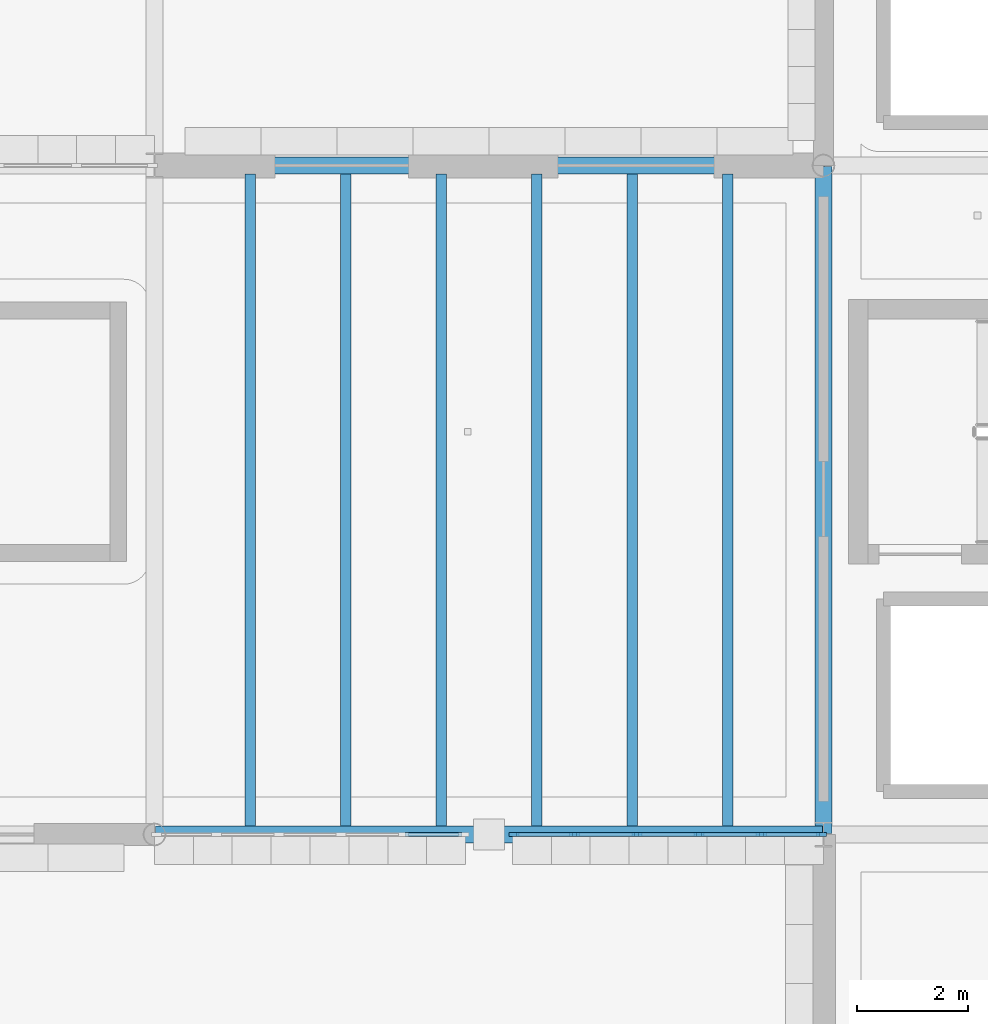
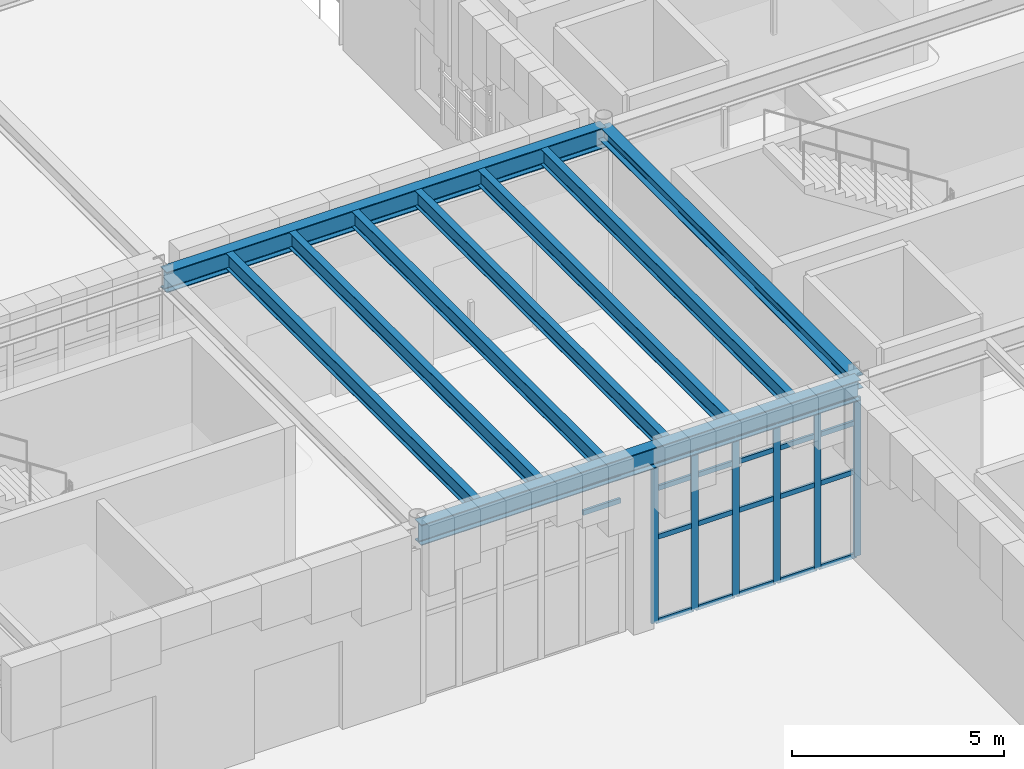
# One storey, part 30 of 103: 28 members, 9 beams, 2 elements without a shape of their own.
"""IFC4 building model written with IfcOpenShell, lengths in metres."""

from ifc_helpers import new_model, si_unit, direction, frame, origin, origin_2d, place, context, subcontext, project, spatial, rectangle, i_section, extrude, material, layer, layer_set, material_profile, profile_set, type_object, element, aggregate, save


model = new_model("IFC4")

# Units and contexts
model_context = context("Model", 3, precision=1e-05, world=origin(), true_north=direction((0.0, 1.0)))
body_context = subcontext(model_context, "Body", "Model", "MODEL_VIEW")
ifc_project = project(units=[si_unit("LENGTHUNIT", "METRE"), si_unit("AREAUNIT", "SQUARE_METRE"), si_unit("VOLUMEUNIT", "CUBIC_METRE"), si_unit("PLANEANGLEUNIT", "RADIAN"), si_unit("MASSUNIT", "GRAM", prefix="KILO")], contexts=[model_context])

# Site, building, storey
site_placement = place(None, origin())
site = spatial("IfcSite", under=ifc_project, at=site_placement, CompositionType="ELEMENT")
building_placement = place(site_placement, origin())
building = spatial("IfcBuilding", under=site, at=building_placement, Name="Zlatogorsky Bluff Art Gallery", CompositionType="ELEMENT")
storey_placement = place(building_placement, origin())
storey = spatial("IfcBuildingStorey", under=building, at=storey_placement, Name="L00", CompositionType="ELEMENT", Elevation=0.0)

# Beams
ifc_material_1 = material(Name="Steel S355", Category="steel")
ifc_material_profile_1 = material_profile(ifc_material_1, i_section(OverallWidth=0.300048828125, OverallDepth=0.590087890625, WebThickness=0.012939453125, FlangeThickness=0.02490234375, FilletRadius=0.027099609375, at=origin_2d()), Name="HEA 600")
ifc_profile_set_1 = profile_set([ifc_material_profile_1], Name="Steel S355")
beam_type_1 = type_object("IfcBeamType", Name="Beam BM-05 HEA 600", PredefinedType="BEAM", material=ifc_profile_set_1)
for number, where, z_axis, x_axis, name in (
    (1, (108.014892578125, 84.0, 4.844970703125), (1.0, 0.0, 0.0), (0.0, 1.0, 0.0), "Primary girder BM-05 L00 K-L/9"),
    (2, (108.014892578125, 96.0, 4.844970703125), (1.0, 0.0, 0.0), (0.0, 1.0, 0.0), "Primary girder BM-05 L00 K-L/10"),
):
    element("IfcBeam", number, at=place(storey_placement, frame(where, z_axis=z_axis, x_axis=x_axis)), inside=storey, type_object=beam_type_1, Name=name, PredefinedType="BEAM", context=body_context, shape_type="SweptSolid", body=[
        extrude(i_section(OverallWidth=0.300048828125, OverallDepth=0.590087890625, WebThickness=0.012939453125, FlangeThickness=0.02490234375, FilletRadius=0.027099609375, at=origin_2d()), origin(), (0.0, 0.0, 1.0), 11.97021484375),
    ])
ifc_material_profile_2 = material_profile(ifc_material_1, i_section(OverallWidth=0.300048828125, OverallDepth=0.389892578125, WebThickness=0.010986328125, FlangeThickness=0.01904296875, FilletRadius=0.027099609375, at=origin_2d()), Name="HEA 400")
ifc_profile_set_2 = profile_set([ifc_material_profile_2], Name="Steel S355")
beam_type_2 = type_object("IfcBeamType", Name="Beam BM-09 HEA 400", PredefinedType="BEAM", material=ifc_profile_set_2)
beam_placement = place(storey_placement, frame((120.0, 84.014892578125, 4.945068359375), z_axis=(0.0, 1.0, 0.0), x_axis=(-1.0, 0.0, 0.0)))
element("IfcBeam", 3, at=beam_placement, inside=storey, type_object=beam_type_2, Name="Primary girder BM-09 L00 L/9-10", PredefinedType="BEAM", context=body_context, shape_type="SweptSolid", body=[
    extrude(i_section(OverallWidth=0.300048828125, OverallDepth=0.389892578125, WebThickness=0.010986328125, FlangeThickness=0.01904296875, FilletRadius=0.027099609375, at=origin_2d()), origin(), (0.0, 0.0, 1.0), 11.97021484375),
])
ifc_material_profile_3 = material_profile(ifc_material_1, i_section(OverallWidth=0.18994140625, OverallDepth=0.449951171875, WebThickness=0.009521484375, FlangeThickness=0.0146484375, FilletRadius=0.02099609375, at=origin_2d()), Name="IPE 450")
ifc_profile_set_3 = profile_set([ifc_material_profile_3], Name="Steel S355")
beam_type_3 = type_object("IfcBeamType", Name="Beam JS-06 IPE 450", PredefinedType="JOIST", material=ifc_profile_set_3)
for number, where, z_axis, x_axis, name in (
    (4, (109.71435546875, 84.14990234375, 4.9150390625), (0.0, 1.0, 0.0), (-1.0, 0.0, 0.0), "Composite floor joist JS-06 L00 09.08.1"),
    (5, (111.428466796875, 84.14990234375, 4.9150390625), (0.0, 1.0, 0.0), (-1.0, 0.0, 0.0), "Composite floor joist JS-06 L00 09.08.2"),
    (6, (113.142822265625, 84.14990234375, 4.9150390625), (0.0, 1.0, 0.0), (-1.0, 0.0, 0.0), "Composite floor joist JS-06 L00 09.08.3"),
    (7, (114.857177734375, 84.14990234375, 4.9150390625), (0.0, 1.0, 0.0), (-1.0, 0.0, 0.0), "Composite floor joist JS-06 L00 09.08.4"),
    (8, (116.571533203125, 84.14990234375, 4.9150390625), (0.0, 1.0, 0.0), (-1.0, 0.0, 0.0), "Composite floor joist JS-06 L00 09.08.5"),
    (9, (118.28564453125, 84.14990234375, 4.9150390625), (0.0, 1.0, 0.0), (-1.0, 0.0, 0.0), "Composite floor joist JS-06 L00 09.08.6"),
):
    element("IfcBeam", number, at=place(storey_placement, frame(where, z_axis=z_axis, x_axis=x_axis)), inside=storey, type_object=beam_type_3, Name=name, PredefinedType="JOIST", context=body_context, shape_type="SweptSolid", body=[
        extrude(i_section(OverallWidth=0.18994140625, OverallDepth=0.449951171875, WebThickness=0.009521484375, FlangeThickness=0.0146484375, FilletRadius=0.02099609375, at=origin_2d()), origin(), (0.0, 0.0, 1.0), 11.7001953125),
    ])

# Curtain wall, members
ifc_material_2 = material(Name="Anodised Bronze Aluminium and Low-Iron Triple Glazing", Category="aluminium")
ifc_layer = layer(ifc_material_2, 0.179931640625)
ifc_layer_set = layer_set([ifc_layer], Name="Curtain Wall CW-03")
curtain_wall_type = type_object("IfcCurtainWallType", Name="Curtain Wall CW-03", PredefinedType="USERDEFINED", material=ifc_layer_set)
curtain_wall_1_placement = place(storey_placement, origin())
curtain_wall_1 = element("IfcCurtainWall", 10, at=curtain_wall_1_placement, inside=storey, type_object=curtain_wall_type, Name="Unitised curtain wall CW-03 L00 S 9.8-B", ObjectType="CURTAIN WALL", PredefinedType="USERDEFINED")
ifc_material_3 = material(Name="Anodised Bronze Aluminium", Category="aluminium")
ifc_material_profile_4 = material_profile(ifc_material_3, rectangle(XDim=0.06494140625, YDim=0.179931640625, at=origin_2d()), Name="ALU MULLION 65x180")
ifc_profile_set_4 = profile_set([ifc_material_profile_4], Name="Anodised Bronze Aluminium")
member_type_1 = type_object("IfcMemberType", Name="Curtain Mullion ML-01", PredefinedType="MULLION", material=ifc_profile_set_4)
member_1_placement = place(storey_placement, frame((114.452392578125, 84.0, 0.0), z_axis=(0.0, 0.0, 1.0), x_axis=(0.0, 1.0, 0.0)))
member_1 = element("IfcMember", 11, at=member_1_placement, type_object=member_type_1, Name="CW-03 mullion 1", PredefinedType="MULLION", context=body_context, shape_type="SweptSolid", body=[
    extrude(rectangle(XDim=0.06494140625, YDim=0.179931640625, at=origin_2d()), origin(), (0.0, 0.0, 1.0), 4.56005859375),
])
member_2_placement = place(storey_placement, frame((115.535888671875, 84.0, 0.0), z_axis=(0.0, 0.0, 1.0), x_axis=(0.0, 1.0, 0.0)))
member_2 = element("IfcMember", 12, at=member_2_placement, type_object=member_type_1, Name="CW-03 mullion 2", PredefinedType="MULLION", context=body_context, shape_type="SweptSolid", body=[
    extrude(rectangle(XDim=0.06494140625, YDim=0.179931640625, at=origin_2d()), origin(), (0.0, 0.0, 1.0), 4.56005859375),
])
member_3_placement = place(storey_placement, frame((116.652099609375, 84.0, 0.0), z_axis=(0.0, 0.0, 1.0), x_axis=(0.0, 1.0, 0.0)))
member_3 = element("IfcMember", 13, at=member_3_placement, type_object=member_type_1, Name="CW-03 mullion 3", PredefinedType="MULLION", context=body_context, shape_type="SweptSolid", body=[
    extrude(rectangle(XDim=0.06494140625, YDim=0.179931640625, at=origin_2d()), origin(), (0.0, 0.0, 1.0), 4.56005859375),
])
member_4_placement = place(storey_placement, frame((117.76806640625, 84.0, 0.0), z_axis=(0.0, 0.0, 1.0), x_axis=(0.0, 1.0, 0.0)))
member_4 = element("IfcMember", 14, at=member_4_placement, type_object=member_type_1, Name="CW-03 mullion 4", PredefinedType="MULLION", context=body_context, shape_type="SweptSolid", body=[
    extrude(rectangle(XDim=0.06494140625, YDim=0.179931640625, at=origin_2d()), origin(), (0.0, 0.0, 1.0), 4.56005859375),
])
member_5_placement = place(storey_placement, frame((118.884033203125, 84.0, 0.0), z_axis=(0.0, 0.0, 1.0), x_axis=(0.0, 1.0, 0.0)))
member_5 = element("IfcMember", 15, at=member_5_placement, type_object=member_type_1, Name="CW-03 mullion 5", PredefinedType="MULLION", context=body_context, shape_type="SweptSolid", body=[
    extrude(rectangle(XDim=0.06494140625, YDim=0.179931640625, at=origin_2d()), origin(), (0.0, 0.0, 1.0), 4.56005859375),
])
member_6_placement = place(storey_placement, frame((119.967529296875, 84.0, 0.0), z_axis=(0.0, 0.0, 1.0), x_axis=(0.0, 1.0, 0.0)))
member_6 = element("IfcMember", 16, at=member_6_placement, type_object=member_type_1, Name="CW-03 mullion 6", PredefinedType="MULLION", context=body_context, shape_type="SweptSolid", body=[
    extrude(rectangle(XDim=0.06494140625, YDim=0.179931640625, at=origin_2d()), origin(), (0.0, 0.0, 1.0), 4.56005859375),
])

curtain_wall_2_placement = place(storey_placement, origin())
curtain_wall_2 = element("IfcCurtainWall", 17, at=curtain_wall_2_placement, inside=storey, type_object=curtain_wall_type, Name="Unitised curtain wall CW-03 L00 S 9.8-A", ObjectType="CURTAIN WALL", PredefinedType="USERDEFINED")
ifc_material_profile_5 = material_profile(ifc_material_3, rectangle(XDim=0.06494140625, YDim=0.139892578125, at=origin_2d()), Name="ALU TRANSOM 65x140")
ifc_profile_set_5 = profile_set([ifc_material_profile_5], Name="Anodised Bronze Aluminium")
member_type_2 = type_object("IfcMemberType", Name="Curtain Transom TR-01", PredefinedType="USERDEFINED", material=ifc_profile_set_5)
member_7_placement = place(storey_placement, frame((112.49658203125, 84.0, 3.85009765625), z_axis=(1.0, 0.0, 0.0), x_axis=(0.0, 1.0, 0.0)))
member_7 = element("IfcMember", 18, at=member_7_placement, type_object=member_type_2, Name="CW-03 transom 5.3", ObjectType="TRANSOM", PredefinedType="USERDEFINED", context=body_context, shape_type="SweptSolid", body=[
    extrude(rectangle(XDim=0.06494140625, YDim=0.139892578125, at=origin_2d()), origin(), (0.0, 0.0, 1.0), 1.018310546875),
])
member_8_placement = place(storey_placement, frame((112.49658203125, 84.0, 4.527587890625), z_axis=(1.0, 0.0, 0.0), x_axis=(0.0, 1.0, 0.0)))
member_8 = element("IfcMember", 19, at=member_8_placement, type_object=member_type_2, Name="CW-03 transom 5.4", ObjectType="TRANSOM", PredefinedType="USERDEFINED", context=body_context, shape_type="SweptSolid", body=[
    extrude(rectangle(XDim=0.06494140625, YDim=0.139892578125, at=origin_2d()), origin(), (0.0, 0.0, 1.0), 1.018310546875),
])
aggregate(curtain_wall_2, [member_7, member_8])

# Member
member_9_placement = place(storey_placement, frame((114.485107421875, 84.0, 0.032470703125), z_axis=(1.0, 0.0, 0.0), x_axis=(0.0, 1.0, 0.0)))
member_9 = element("IfcMember", 20, at=member_9_placement, type_object=member_type_2, Name="CW-03 transom 1.1", ObjectType="TRANSOM", PredefinedType="USERDEFINED", context=body_context, shape_type="SweptSolid", body=[
    extrude(rectangle(XDim=0.06494140625, YDim=0.139892578125, at=origin_2d()), origin(), (0.0, 0.0, 1.0), 1.018310546875),
])

member_10_placement = place(storey_placement, frame((114.485107421875, 84.0, 2.449951171875), z_axis=(1.0, 0.0, 0.0), x_axis=(0.0, 1.0, 0.0)))
member_10 = element("IfcMember", 21, at=member_10_placement, type_object=member_type_2, Name="CW-03 transom 1.2", ObjectType="TRANSOM", PredefinedType="USERDEFINED", context=body_context, shape_type="SweptSolid", body=[
    extrude(rectangle(XDim=0.06494140625, YDim=0.139892578125, at=origin_2d()), origin(), (0.0, 0.0, 1.0), 1.018310546875),
])

member_11_placement = place(storey_placement, frame((114.485107421875, 84.0, 3.85009765625), z_axis=(1.0, 0.0, 0.0), x_axis=(0.0, 1.0, 0.0)))
member_11 = element("IfcMember", 22, at=member_11_placement, type_object=member_type_2, Name="CW-03 transom 1.3", ObjectType="TRANSOM", PredefinedType="USERDEFINED", context=body_context, shape_type="SweptSolid", body=[
    extrude(rectangle(XDim=0.06494140625, YDim=0.139892578125, at=origin_2d()), origin(), (0.0, 0.0, 1.0), 1.018310546875),
])

member_12_placement = place(storey_placement, frame((114.485107421875, 84.0, 4.527587890625), z_axis=(1.0, 0.0, 0.0), x_axis=(0.0, 1.0, 0.0)))
member_12 = element("IfcMember", 23, at=member_12_placement, type_object=member_type_2, Name="CW-03 transom 1.4", ObjectType="TRANSOM", PredefinedType="USERDEFINED", context=body_context, shape_type="SweptSolid", body=[
    extrude(rectangle(XDim=0.06494140625, YDim=0.139892578125, at=origin_2d()), origin(), (0.0, 0.0, 1.0), 1.018310546875),
])

member_13_placement = place(storey_placement, frame((115.568603515625, 84.0, 0.032470703125), z_axis=(1.0, 0.0, 0.0), x_axis=(0.0, 1.0, 0.0)))
member_13 = element("IfcMember", 24, at=member_13_placement, type_object=member_type_2, Name="CW-03 transom 2.1", ObjectType="TRANSOM", PredefinedType="USERDEFINED", context=body_context, shape_type="SweptSolid", body=[
    extrude(rectangle(XDim=0.06494140625, YDim=0.139892578125, at=origin_2d()), origin(), (0.0, 0.0, 1.0), 1.05078125),
])

member_14_placement = place(storey_placement, frame((115.568603515625, 84.0, 2.449951171875), z_axis=(1.0, 0.0, 0.0), x_axis=(0.0, 1.0, 0.0)))
member_14 = element("IfcMember", 25, at=member_14_placement, type_object=member_type_2, Name="CW-03 transom 2.2", ObjectType="TRANSOM", PredefinedType="USERDEFINED", context=body_context, shape_type="SweptSolid", body=[
    extrude(rectangle(XDim=0.06494140625, YDim=0.139892578125, at=origin_2d()), origin(), (0.0, 0.0, 1.0), 1.05078125),
])

member_15_placement = place(storey_placement, frame((115.568603515625, 84.0, 3.85009765625), z_axis=(1.0, 0.0, 0.0), x_axis=(0.0, 1.0, 0.0)))
member_15 = element("IfcMember", 26, at=member_15_placement, type_object=member_type_2, Name="CW-03 transom 2.3", ObjectType="TRANSOM", PredefinedType="USERDEFINED", context=body_context, shape_type="SweptSolid", body=[
    extrude(rectangle(XDim=0.06494140625, YDim=0.139892578125, at=origin_2d()), origin(), (0.0, 0.0, 1.0), 1.05078125),
])

member_16_placement = place(storey_placement, frame((115.568603515625, 84.0, 4.527587890625), z_axis=(1.0, 0.0, 0.0), x_axis=(0.0, 1.0, 0.0)))
member_16 = element("IfcMember", 27, at=member_16_placement, type_object=member_type_2, Name="CW-03 transom 2.4", ObjectType="TRANSOM", PredefinedType="USERDEFINED", context=body_context, shape_type="SweptSolid", body=[
    extrude(rectangle(XDim=0.06494140625, YDim=0.139892578125, at=origin_2d()), origin(), (0.0, 0.0, 1.0), 1.05078125),
])

member_17_placement = place(storey_placement, frame((116.6845703125, 84.0, 0.032470703125), z_axis=(1.0, 0.0, 0.0), x_axis=(0.0, 1.0, 0.0)))
member_17 = element("IfcMember", 28, at=member_17_placement, type_object=member_type_2, Name="CW-03 transom 3.1", ObjectType="TRANSOM", PredefinedType="USERDEFINED", context=body_context, shape_type="SweptSolid", body=[
    extrude(rectangle(XDim=0.06494140625, YDim=0.139892578125, at=origin_2d()), origin(), (0.0, 0.0, 1.0), 1.051025390625),
])

member_18_placement = place(storey_placement, frame((116.6845703125, 84.0, 2.449951171875), z_axis=(1.0, 0.0, 0.0), x_axis=(0.0, 1.0, 0.0)))
member_18 = element("IfcMember", 29, at=member_18_placement, type_object=member_type_2, Name="CW-03 transom 3.2", ObjectType="TRANSOM", PredefinedType="USERDEFINED", context=body_context, shape_type="SweptSolid", body=[
    extrude(rectangle(XDim=0.06494140625, YDim=0.139892578125, at=origin_2d()), origin(), (0.0, 0.0, 1.0), 1.051025390625),
])

member_19_placement = place(storey_placement, frame((116.6845703125, 84.0, 3.85009765625), z_axis=(1.0, 0.0, 0.0), x_axis=(0.0, 1.0, 0.0)))
member_19 = element("IfcMember", 30, at=member_19_placement, type_object=member_type_2, Name="CW-03 transom 3.3", ObjectType="TRANSOM", PredefinedType="USERDEFINED", context=body_context, shape_type="SweptSolid", body=[
    extrude(rectangle(XDim=0.06494140625, YDim=0.139892578125, at=origin_2d()), origin(), (0.0, 0.0, 1.0), 1.051025390625),
])

member_20_placement = place(storey_placement, frame((116.6845703125, 84.0, 4.527587890625), z_axis=(1.0, 0.0, 0.0), x_axis=(0.0, 1.0, 0.0)))
member_20 = element("IfcMember", 31, at=member_20_placement, type_object=member_type_2, Name="CW-03 transom 3.4", ObjectType="TRANSOM", PredefinedType="USERDEFINED", context=body_context, shape_type="SweptSolid", body=[
    extrude(rectangle(XDim=0.06494140625, YDim=0.139892578125, at=origin_2d()), origin(), (0.0, 0.0, 1.0), 1.051025390625),
])

member_21_placement = place(storey_placement, frame((117.800537109375, 84.0, 0.032470703125), z_axis=(1.0, 0.0, 0.0), x_axis=(0.0, 1.0, 0.0)))
member_21 = element("IfcMember", 32, at=member_21_placement, type_object=member_type_2, Name="CW-03 transom 4.1", ObjectType="TRANSOM", PredefinedType="USERDEFINED", context=body_context, shape_type="SweptSolid", body=[
    extrude(rectangle(XDim=0.06494140625, YDim=0.139892578125, at=origin_2d()), origin(), (0.0, 0.0, 1.0), 1.051025390625),
])

member_22_placement = place(storey_placement, frame((117.800537109375, 84.0, 2.449951171875), z_axis=(1.0, 0.0, 0.0), x_axis=(0.0, 1.0, 0.0)))
member_22 = element("IfcMember", 33, at=member_22_placement, type_object=member_type_2, Name="CW-03 transom 4.2", ObjectType="TRANSOM", PredefinedType="USERDEFINED", context=body_context, shape_type="SweptSolid", body=[
    extrude(rectangle(XDim=0.06494140625, YDim=0.139892578125, at=origin_2d()), origin(), (0.0, 0.0, 1.0), 1.051025390625),
])

member_23_placement = place(storey_placement, frame((117.800537109375, 84.0, 3.85009765625), z_axis=(1.0, 0.0, 0.0), x_axis=(0.0, 1.0, 0.0)))
member_23 = element("IfcMember", 34, at=member_23_placement, type_object=member_type_2, Name="CW-03 transom 4.3", ObjectType="TRANSOM", PredefinedType="USERDEFINED", context=body_context, shape_type="SweptSolid", body=[
    extrude(rectangle(XDim=0.06494140625, YDim=0.139892578125, at=origin_2d()), origin(), (0.0, 0.0, 1.0), 1.051025390625),
])

member_24_placement = place(storey_placement, frame((117.800537109375, 84.0, 4.527587890625), z_axis=(1.0, 0.0, 0.0), x_axis=(0.0, 1.0, 0.0)))
member_24 = element("IfcMember", 35, at=member_24_placement, type_object=member_type_2, Name="CW-03 transom 4.4", ObjectType="TRANSOM", PredefinedType="USERDEFINED", context=body_context, shape_type="SweptSolid", body=[
    extrude(rectangle(XDim=0.06494140625, YDim=0.139892578125, at=origin_2d()), origin(), (0.0, 0.0, 1.0), 1.051025390625),
])

member_25_placement = place(storey_placement, frame((118.91650390625, 84.0, 0.032470703125), z_axis=(1.0, 0.0, 0.0), x_axis=(0.0, 1.0, 0.0)))
member_25 = element("IfcMember", 36, at=member_25_placement, type_object=member_type_2, Name="CW-03 transom 5.1", ObjectType="TRANSOM", PredefinedType="USERDEFINED", context=body_context, shape_type="SweptSolid", body=[
    extrude(rectangle(XDim=0.06494140625, YDim=0.139892578125, at=origin_2d()), origin(), (0.0, 0.0, 1.0), 1.0185546875),
])

member_26_placement = place(storey_placement, frame((118.91650390625, 84.0, 2.449951171875), z_axis=(1.0, 0.0, 0.0), x_axis=(0.0, 1.0, 0.0)))
member_26 = element("IfcMember", 37, at=member_26_placement, type_object=member_type_2, Name="CW-03 transom 5.2", ObjectType="TRANSOM", PredefinedType="USERDEFINED", context=body_context, shape_type="SweptSolid", body=[
    extrude(rectangle(XDim=0.06494140625, YDim=0.139892578125, at=origin_2d()), origin(), (0.0, 0.0, 1.0), 1.0185546875),
])

member_27_placement = place(storey_placement, frame((118.91650390625, 84.0, 3.85009765625), z_axis=(1.0, 0.0, 0.0), x_axis=(0.0, 1.0, 0.0)))
member_27 = element("IfcMember", 38, at=member_27_placement, type_object=member_type_2, Name="CW-03 transom 5.3", ObjectType="TRANSOM", PredefinedType="USERDEFINED", context=body_context, shape_type="SweptSolid", body=[
    extrude(rectangle(XDim=0.06494140625, YDim=0.139892578125, at=origin_2d()), origin(), (0.0, 0.0, 1.0), 1.0185546875),
])

member_28_placement = place(storey_placement, frame((118.91650390625, 84.0, 4.527587890625), z_axis=(1.0, 0.0, 0.0), x_axis=(0.0, 1.0, 0.0)))
member_28 = element("IfcMember", 39, at=member_28_placement, type_object=member_type_2, Name="CW-03 transom 5.4", ObjectType="TRANSOM", PredefinedType="USERDEFINED", context=body_context, shape_type="SweptSolid", body=[
    extrude(rectangle(XDim=0.06494140625, YDim=0.139892578125, at=origin_2d()), origin(), (0.0, 0.0, 1.0), 1.0185546875),
])

aggregate(curtain_wall_1, [member_1, member_2, member_3, member_4, member_5, member_6, member_9, member_10, member_11, member_12, member_13, member_14, member_15, member_16, member_17, member_18, member_19, member_20, member_21, member_22, member_23, member_24, member_25, member_26, member_27, member_28])

save(model, "model.ifc")
